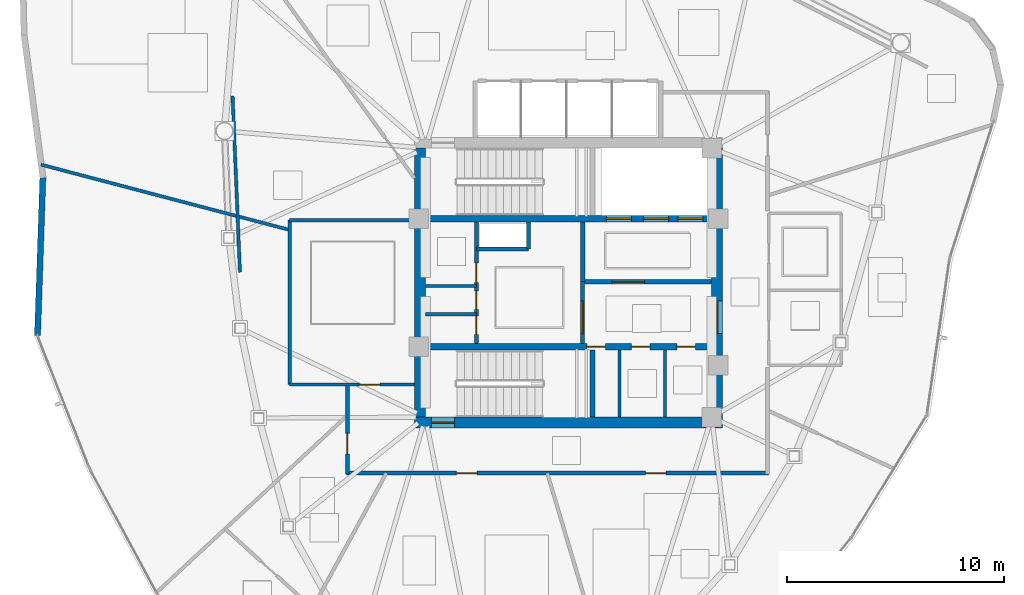
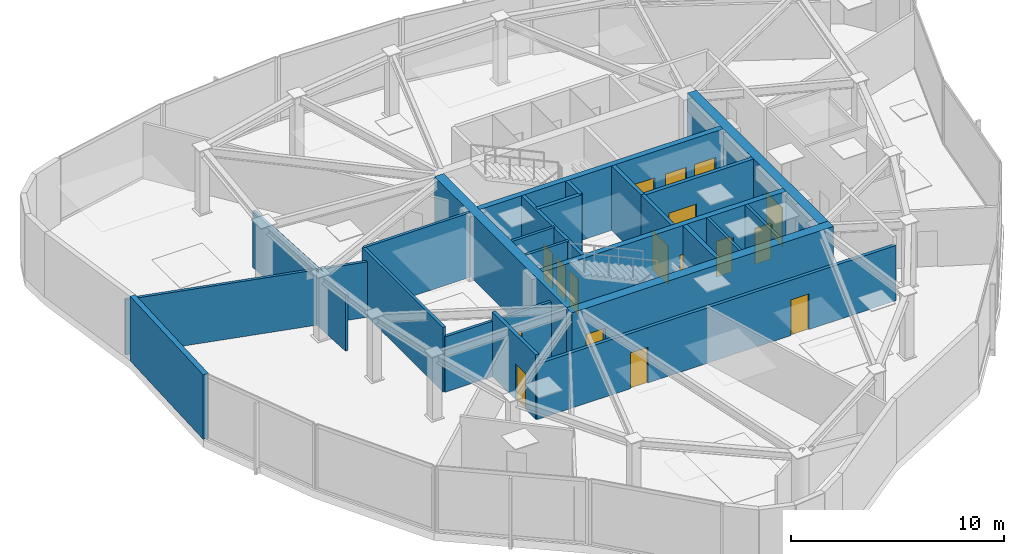
# One storey, part 9 of 14: 24 walls, 17 doors, 17 openings.
"""IFC4 building model written with IfcOpenShell, lengths in metres."""

from ifc_helpers import new_model, si_unit, direction, frame, frame_2d, origin, place, context, subcontext, project, spatial, rectangle, extrude, material, layer, layer_set, type_object, element, fill, save


model = new_model("IFC4")

# Units and contexts
model_context = context("Model", 3, precision=1e-05, world=origin(), true_north=direction((0.0, 1.0)))
body_context = subcontext(model_context, "Body", "Model", "MODEL_VIEW")
ifc_project = project(units=[si_unit("LENGTHUNIT", "METRE"), si_unit("AREAUNIT", "SQUARE_METRE"), si_unit("VOLUMEUNIT", "CUBIC_METRE"), si_unit("PLANEANGLEUNIT", "RADIAN"), si_unit("MASSUNIT", "GRAM", prefix="KILO")], contexts=[model_context])

# Site, building, storey
site_placement = place(None, origin())
site = spatial("IfcSite", under=ifc_project, at=site_placement, CompositionType="ELEMENT")
building_placement = place(site_placement, origin())
building = spatial("IfcBuilding", under=site, at=building_placement, Name="Tavelor Broadcast Tower", CompositionType="ELEMENT")
storey_placement = place(building_placement, frame((0.0, 0.0, 273.5)))
storey = spatial("IfcBuildingStorey", under=building, at=storey_placement, Name="L65", CompositionType="ELEMENT", Elevation=273.5)

# Wall, opening, door
ifc_material_1 = material(Name="Concrete C50/60", Category="concrete")
ifc_layer_1 = layer(ifc_material_1, 0.5)
ifc_layer_set_1 = layer_set([ifc_layer_1], Name="Concrete C50/60")
wall_type_1 = type_object("IfcWallType", Name="Core Shear Wall 500 mm", PredefinedType="SHEAR", material=ifc_layer_set_1)
wall_1_placement = place(storey_placement, frame((42.89990234375, 38.550048828125, 0.0), z_axis=(0.0, 0.0, 1.0), x_axis=(1.0, 0.0, 0.0)))
wall_1 = element("IfcWall", 1, at=wall_1_placement, inside=storey, type_object=wall_type_1, Name="L65 Central Core Shear Wall S", PredefinedType="SHEAR", context=body_context, shape_type="SweptSolid", body=[
    extrude(rectangle(XDim=14.2001953125, YDim=0.5, at=frame_2d((7.10009765625, 0.0))), origin(), (0.0, 0.0, 1.0), 3.699951171875),
])
opening_1_placement = place(wall_1_placement, frame((0.780029296875, 0.0, 0.0)))
opening_1 = element("IfcOpeningElement", 2, at=opening_1_placement, cuts=wall_1, Name="Opening DR11", PredefinedType="OPENING", context=body_context, shape_type="SweptSolid", body=[
    extrude(rectangle(XDim=1.050048828125, YDim=2.199951171875, at=frame_2d((0.52490234375, 1.10009765625))), frame((0.0, 0.260009765625, 0.0), z_axis=(0.0, -1.0, 0.0), x_axis=(1.0, 0.0, 0.0)), (0.0, 0.0, 1.0), 0.52001953125),
])
ifc_material_2 = material(Name="Steel S355", Category="steel")
door_type_1 = type_object("IfcDoorType", Name="Stair Core Fire Escape Door 1050x2200", OperationType="NOTDEFINED", PredefinedType="DOOR", material=ifc_material_2)
door_1_placement = place(opening_1_placement, origin())
door_1 = element("IfcDoor", 3, at=door_1_placement, inside=storey, type_object=door_type_1, Name="L65 Stair ST2 Protected Exit Door", OperationType="SINGLE_SWING_RIGHT", OverallHeight=2.199951171875, OverallWidth=1.050048828125, PredefinedType="DOOR", context=body_context, shape_type="SweptSolid", body=[
    extrude(rectangle(XDim=1.050048828125, YDim=2.199951171875, at=frame_2d((0.52490234375, 1.10009765625))), frame((0.0, 0.02490234375, 0.0), z_axis=(0.0, -1.0, 0.0), x_axis=(1.0, 0.0, 0.0)), (0.0, 0.0, 1.0), 0.050048828125),
])
fill(opening_1, door_1)

# Wall
wall_2_placement = place(storey_placement, frame((43.14990234375, 38.800048828125, 0.0), z_axis=(0.0, 0.0, 1.0), x_axis=(0.0, 1.0, 0.0)))
element("IfcWall", 4, at=wall_2_placement, inside=storey, type_object=wall_type_1, Name="L65 Central Core Shear Wall W", PredefinedType="SHEAR", context=body_context, shape_type="SweptSolid", body=[
    extrude(rectangle(XDim=12.39990234375, YDim=0.5, at=frame_2d((6.199951171875, 0.0))), origin(), (0.0, 0.0, 1.0), 3.699951171875),
])

# Wall, opening, door
wall_3_placement = place(storey_placement, frame((56.85009765625, 38.800048828125, 0.0), z_axis=(0.0, 0.0, 1.0), x_axis=(0.0, 1.0, 0.0)))
wall_3 = element("IfcWall", 5, at=wall_3_placement, inside=storey, type_object=wall_type_1, Name="L65 Central Core Shear Wall E", PredefinedType="SHEAR", context=body_context, shape_type="SweptSolid", body=[
    extrude(rectangle(XDim=12.39990234375, YDim=0.5, at=frame_2d((6.199951171875, 0.0))), origin(), (0.0, 0.0, 1.0), 3.699951171875),
])
opening_2_placement = place(wall_3_placement, frame((3.85009765625, 0.0, 0.0)))
opening_2 = element("IfcOpeningElement", 6, at=opening_2_placement, cuts=wall_3, Name="Opening DR14", PredefinedType="OPENING", context=body_context, shape_type="SweptSolid", body=[
    extrude(rectangle(XDim=1.5, YDim=2.199951171875, at=frame_2d((0.75, 1.10009765625))), frame((0.0, 0.260009765625, 0.0), z_axis=(0.0, -1.0, 0.0), x_axis=(1.0, 0.0, 0.0)), (0.0, 0.0, 1.0), 0.52001953125),
])
door_type_2 = type_object("IfcDoorType", Name="Firefighting Lobby Double Fire Door 1500x2200", OperationType="NOTDEFINED", PredefinedType="DOOR", material=ifc_material_2)
door_2_placement = place(opening_2_placement, origin())
door_2 = element("IfcDoor", 7, at=door_2_placement, inside=storey, type_object=door_type_2, Name="L65 Central Core Lobby Fire Door", OperationType="SINGLE_SWING_LEFT", OverallHeight=2.199951171875, OverallWidth=1.5, PredefinedType="DOOR", context=body_context, shape_type="SweptSolid", body=[
    extrude(rectangle(XDim=1.5, YDim=2.199951171875, at=frame_2d((0.75, 1.10009765625))), frame((0.0, 0.02490234375, 0.0), z_axis=(0.0, -1.0, 0.0), x_axis=(1.0, 0.0, 0.0)), (0.0, 0.0, 1.0), 0.050048828125),
])
fill(opening_2, door_2)

# Wall, openings, doors
ifc_layer_2 = layer(ifc_material_1, 0.300048828125)
ifc_layer_set_2 = layer_set([ifc_layer_2], Name="Concrete C50/60")
wall_type_2 = type_object("IfcWallType", Name="Core Spine Shear Wall 300 mm C50", PredefinedType="SHEAR", material=ifc_layer_set_2)
wall_4_placement = place(storey_placement, frame((43.39990234375, 47.949951171875, 0.0), z_axis=(0.0, 0.0, 1.0), x_axis=(1.0, 0.0, 0.0)))
wall_4 = element("IfcWall", 8, at=wall_4_placement, inside=storey, type_object=wall_type_2, Name="L65 Central Core Shear Wall SP1", PredefinedType="SHEAR", context=body_context, shape_type="SweptSolid", body=[
    extrude(rectangle(XDim=13.2001953125, YDim=0.300048828125, at=frame_2d((6.60009765625, 0.0))), origin(), (0.0, 0.0, 1.0), 3.699951171875),
])
opening_3_placement = place(wall_4_placement, frame((8.344970703125, 0.0, 0.0)))
opening_3 = element("IfcOpeningElement", 9, at=opening_3_placement, cuts=wall_4, Name="Opening LD02", PredefinedType="OPENING", context=body_context, shape_type="SweptSolid", body=[
    extrude(rectangle(XDim=1.14990234375, YDim=2.199951171875, at=frame_2d((0.574951171875, 1.10009765625))), frame((0.0, 0.16015625, 0.0), z_axis=(0.0, -1.0, 0.0), x_axis=(1.0, 0.0, 0.0)), (0.0, 0.0, 1.0), 0.320068359375),
])
opening_4_placement = place(wall_4_placement, frame((10.06494140625, 0.0, 0.0)))
opening_4 = element("IfcOpeningElement", 10, at=opening_4_placement, cuts=wall_4, Name="Opening LD02", PredefinedType="OPENING", context=body_context, shape_type="SweptSolid", body=[
    extrude(rectangle(XDim=1.14990234375, YDim=2.199951171875, at=frame_2d((0.574951171875, 1.10009765625))), frame((0.0, 0.16015625, 0.0), z_axis=(0.0, -1.0, 0.0), x_axis=(1.0, 0.0, 0.0)), (0.0, 0.0, 1.0), 0.320068359375),
])
opening_5_placement = place(wall_4_placement, frame((11.64501953125, 0.0, 0.0)))
opening_5 = element("IfcOpeningElement", 11, at=opening_5_placement, cuts=wall_4, Name="Opening LD03", PredefinedType="OPENING", context=body_context, shape_type="SweptSolid", body=[
    extrude(rectangle(XDim=1.14990234375, YDim=2.199951171875, at=frame_2d((0.574951171875, 1.10009765625))), frame((0.0, 0.16015625, 0.0), z_axis=(0.0, -1.0, 0.0), x_axis=(1.0, 0.0, 0.0)), (0.0, 0.0, 1.0), 0.320068359375),
])
ifc_material_3 = material(Name="Reinforced Brushed Stainless Steel", Category="concrete")
door_type_3 = type_object("IfcDoorType", Name="Broadcast Goods Lift Sliding Landing Door 1250x2200", OperationType="NOTDEFINED", PredefinedType="DOOR", material=ifc_material_3)
door_3_placement = place(opening_5_placement, origin())
door_3 = element("IfcDoor", 12, at=door_3_placement, inside=storey, type_object=door_type_3, Name="L65 Lift SVL1 Sliding Landing Door", OperationType="SLIDING_TO_LEFT", OverallHeight=2.199951171875, OverallWidth=1.14990234375, PredefinedType="DOOR", context=body_context, shape_type="SweptSolid", body=[
    extrude(rectangle(XDim=1.14990234375, YDim=2.199951171875, at=frame_2d((0.574951171875, 1.10009765625))), frame((0.0, 0.02490234375, 0.0), z_axis=(0.0, -1.0, 0.0), x_axis=(1.0, 0.0, 0.0)), (0.0, 0.0, 1.0), 0.050048828125),
])
fill(opening_5, door_3)
ifc_material_4 = material(Name="Fire-Rated Stainless Steel", Category="steel")
door_type_4 = type_object("IfcDoorType", Name="Firefighting Lift Sliding Landing Door 1200x2200", OperationType="NOTDEFINED", PredefinedType="DOOR", material=ifc_material_4)
door_4_placement = place(opening_3_placement, origin())
door_4 = element("IfcDoor", 13, at=door_4_placement, inside=storey, type_object=door_type_4, Name="L65 Lift FFL1 Sliding Landing Door", OperationType="SLIDING_TO_LEFT", OverallHeight=2.199951171875, OverallWidth=1.14990234375, PredefinedType="DOOR", context=body_context, shape_type="SweptSolid", body=[
    extrude(rectangle(XDim=1.14990234375, YDim=2.199951171875, at=frame_2d((0.574951171875, 1.10009765625))), frame((0.0, 0.02490234375, 0.0), z_axis=(0.0, -1.0, 0.0), x_axis=(1.0, 0.0, 0.0)), (0.0, 0.0, 1.0), 0.050048828125),
])
fill(opening_3, door_4)
door_5_placement = place(opening_4_placement, origin())
door_5 = element("IfcDoor", 14, at=door_5_placement, inside=storey, type_object=door_type_4, Name="L65 Lift FFL2 Sliding Landing Door", OperationType="SLIDING_TO_LEFT", OverallHeight=2.199951171875, OverallWidth=1.14990234375, PredefinedType="DOOR", context=body_context, shape_type="SweptSolid", body=[
    extrude(rectangle(XDim=1.14990234375, YDim=2.199951171875, at=frame_2d((0.574951171875, 1.10009765625))), frame((0.0, 0.02490234375, 0.0), z_axis=(0.0, -1.0, 0.0), x_axis=(1.0, 0.0, 0.0)), (0.0, 0.0, 1.0), 0.050048828125),
])
fill(opening_4, door_5)

wall_5_placement = place(storey_placement, frame((43.39990234375, 42.050048828125, 0.0), z_axis=(0.0, 0.0, 1.0), x_axis=(1.0, 0.0, 0.0)))
wall_5 = element("IfcWall", 15, at=wall_5_placement, inside=storey, type_object=wall_type_2, Name="L65 Central Core Shear Wall SP2", PredefinedType="SHEAR", context=body_context, shape_type="SweptSolid", body=[
    extrude(rectangle(XDim=13.2001953125, YDim=0.300048828125, at=frame_2d((6.60009765625, 0.0))), origin(), (0.0, 0.0, 1.0), 3.699951171875),
])
opening_6_placement = place(wall_5_placement, frame((7.449951171875, 0.0, 0.0)))
opening_6 = element("IfcOpeningElement", 16, at=opening_6_placement, cuts=wall_5, Name="Opening DR36", PredefinedType="OPENING", context=body_context, shape_type="SweptSolid", body=[
    extrude(rectangle(XDim=0.85009765625, YDim=2.050048828125, at=frame_2d((0.425048828125, 1.02490234375))), frame((0.0, 0.16015625, 0.0), z_axis=(0.0, -1.0, 0.0), x_axis=(1.0, 0.0, 0.0)), (0.0, 0.0, 1.0), 0.320068359375),
])
opening_7_placement = place(wall_5_placement, frame((9.5, 0.0, 0.0)))
opening_7 = element("IfcOpeningElement", 17, at=opening_7_placement, cuts=wall_5, Name="Opening DR36", PredefinedType="OPENING", context=body_context, shape_type="SweptSolid", body=[
    extrude(rectangle(XDim=0.85009765625, YDim=2.050048828125, at=frame_2d((0.425048828125, 1.02490234375))), frame((0.0, 0.16015625, 0.0), z_axis=(0.0, -1.0, 0.0), x_axis=(1.0, 0.0, 0.0)), (0.0, 0.0, 1.0), 0.320068359375),
])
opening_8_placement = place(wall_5_placement, frame((11.60009765625, 0.0, 0.0)))
opening_8 = element("IfcOpeningElement", 18, at=opening_8_placement, cuts=wall_5, Name="Opening DR36", PredefinedType="OPENING", context=body_context, shape_type="SweptSolid", body=[
    extrude(rectangle(XDim=0.85009765625, YDim=2.050048828125, at=frame_2d((0.425048828125, 1.02490234375))), frame((0.0, 0.16015625, 0.0), z_axis=(0.0, -1.0, 0.0), x_axis=(1.0, 0.0, 0.0)), (0.0, 0.0, 1.0), 0.320068359375),
])
door_type_5 = type_object("IfcDoorType", Name="Service Room Fire Door 850x2050", OperationType="NOTDEFINED", PredefinedType="DOOR", material=ifc_material_2)
door_6_placement = place(opening_6_placement, origin())
door_6 = element("IfcDoor", 19, at=door_6_placement, inside=storey, type_object=door_type_5, Name="L65 Reclaimed South Core Pod 1 Door", OperationType="SINGLE_SWING_RIGHT", OverallHeight=2.050048828125, OverallWidth=0.85009765625, PredefinedType="DOOR", context=body_context, shape_type="SweptSolid", body=[
    extrude(rectangle(XDim=0.85009765625, YDim=2.050048828125, at=frame_2d((0.425048828125, 1.02490234375))), frame((0.0, 0.02490234375, 0.0), z_axis=(0.0, -1.0, 0.0), x_axis=(1.0, 0.0, 0.0)), (0.0, 0.0, 1.0), 0.050048828125),
])
fill(opening_6, door_6)
door_7_placement = place(opening_7_placement, origin())
door_7 = element("IfcDoor", 20, at=door_7_placement, inside=storey, type_object=door_type_5, Name="L65 Reclaimed South Core Pod 2 Door", OperationType="SINGLE_SWING_LEFT", OverallHeight=2.050048828125, OverallWidth=0.85009765625, PredefinedType="DOOR", context=body_context, shape_type="SweptSolid", body=[
    extrude(rectangle(XDim=0.85009765625, YDim=2.050048828125, at=frame_2d((0.425048828125, 1.02490234375))), frame((0.0, 0.02490234375, 0.0), z_axis=(0.0, -1.0, 0.0), x_axis=(1.0, 0.0, 0.0)), (0.0, 0.0, 1.0), 0.050048828125),
])
fill(opening_7, door_7)
door_8_placement = place(opening_8_placement, origin())
door_8 = element("IfcDoor", 21, at=door_8_placement, inside=storey, type_object=door_type_5, Name="L65 Reclaimed South Core Pod 3 Door", OperationType="SINGLE_SWING_RIGHT", OverallHeight=2.050048828125, OverallWidth=0.85009765625, PredefinedType="DOOR", context=body_context, shape_type="SweptSolid", body=[
    extrude(rectangle(XDim=0.85009765625, YDim=2.050048828125, at=frame_2d((0.425048828125, 1.02490234375))), frame((0.0, 0.02490234375, 0.0), z_axis=(0.0, -1.0, 0.0), x_axis=(1.0, 0.0, 0.0)), (0.0, 0.0, 1.0), 0.050048828125),
])
fill(opening_8, door_8)

# Wall, opening, door
ifc_material_5 = material(Name="Calcium Silicate Fire Board 180 mm", Category="gypsum")
ifc_layer_3 = layer(ifc_material_5, 0.179931640625)
ifc_layer_set_3 = layer_set([ifc_layer_3], Name="Calcium Silicate Fire Board 180 mm")
wall_type_3 = type_object("IfcWallType", Name="Fire-Rated Corridor Partition Wall 180 mm", PredefinedType="PARTITIONING", material=ifc_layer_set_3)
wall_6_placement = place(storey_placement, frame((50.64990234375, 42.199951171875, 0.0), z_axis=(0.0, 0.0, 1.0), x_axis=(0.0, 1.0, 0.0)))
wall_6 = element("IfcWall", 22, at=wall_6_placement, inside=storey, type_object=wall_type_3, Name="L65 Core Lobby Zoning Wall", PredefinedType="PARTITIONING", context=body_context, shape_type="SweptSolid", body=[
    extrude(rectangle(XDim=2.85009765625, YDim=0.179931640625, at=frame_2d((1.425048828125, 0.0))), origin(), (0.0, 0.0, 1.0), 3.699951171875),
])
opening_9_placement = place(wall_6_placement, frame((0.449951171875, 0.0, 0.0)))
opening_9 = element("IfcOpeningElement", 23, at=opening_9_placement, cuts=wall_6, Name="Opening DR14", PredefinedType="OPENING", context=body_context, shape_type="SweptSolid", body=[
    extrude(rectangle(XDim=1.5, YDim=2.199951171875, at=frame_2d((0.75, 1.10009765625))), frame((0.0, 0.10009765625, 0.0), z_axis=(0.0, -1.0, 0.0), x_axis=(1.0, 0.0, 0.0)), (0.0, 0.0, 1.0), 0.199951171875),
])
door_9_placement = place(opening_9_placement, origin())
door_9 = element("IfcDoor", 24, at=door_9_placement, inside=storey, type_object=door_type_2, Name="L65 Core West Lobby Double Fire Door", OperationType="SINGLE_SWING_LEFT", OverallHeight=2.199951171875, OverallWidth=1.5, PredefinedType="DOOR", context=body_context, shape_type="SweptSolid", body=[
    extrude(rectangle(XDim=1.5, YDim=2.199951171875, at=frame_2d((0.75, 1.10009765625))), frame((0.0, 0.02490234375, 0.0), z_axis=(0.0, -1.0, 0.0), x_axis=(1.0, 0.0, 0.0)), (0.0, 0.0, 1.0), 0.050048828125),
])
fill(opening_9, door_9)

# Wall, openings, doors
wall_7_placement = place(storey_placement, frame((45.75, 42.199951171875, 0.0), z_axis=(0.0, 0.0, 1.0), x_axis=(0.0, 1.0, 0.0)))
wall_7 = element("IfcWall", 25, at=wall_7_placement, inside=storey, type_object=wall_type_3, Name="L65 Core West Service East Wall", PredefinedType="PARTITIONING", context=body_context, shape_type="SweptSolid", body=[
    extrude(rectangle(XDim=5.60009765625, YDim=0.179931640625, at=frame_2d((2.800048828125, 0.0))), origin(), (0.0, 0.0, 1.0), 3.699951171875),
])
opening_10_placement = place(wall_7_placement, frame((0.419921875, 0.0, 0.0)))
opening_10 = element("IfcOpeningElement", 26, at=opening_10_placement, cuts=wall_7, Name="Opening DR36", PredefinedType="OPENING", context=body_context, shape_type="SweptSolid", body=[
    extrude(rectangle(XDim=0.85009765625, YDim=2.050048828125, at=frame_2d((0.425048828125, 1.02490234375))), frame((0.0, 0.10009765625, 0.0), z_axis=(0.0, -1.0, 0.0), x_axis=(1.0, 0.0, 0.0)), (0.0, 0.0, 1.0), 0.199951171875),
])
opening_11_placement = place(wall_7_placement, frame((1.570068359375, 0.0, 0.0)))
opening_11 = element("IfcOpeningElement", 27, at=opening_11_placement, cuts=wall_7, Name="Opening DR36", PredefinedType="OPENING", context=body_context, shape_type="SweptSolid", body=[
    extrude(rectangle(XDim=0.85009765625, YDim=2.050048828125, at=frame_2d((0.425048828125, 1.02490234375))), frame((0.0, 0.10009765625, 0.0), z_axis=(0.0, -1.0, 0.0), x_axis=(1.0, 0.0, 0.0)), (0.0, 0.0, 1.0), 0.199951171875),
])
opening_12_placement = place(wall_7_placement, frame((2.800048828125, 0.0, 0.0)))
opening_12 = element("IfcOpeningElement", 28, at=opening_12_placement, cuts=wall_7, Name="Opening DR32", PredefinedType="OPENING", context=body_context, shape_type="SweptSolid", body=[
    extrude(rectangle(XDim=0.89990234375, YDim=2.050048828125, at=frame_2d((0.449951171875, 1.02490234375))), frame((0.0, 0.10009765625, 0.0), z_axis=(0.0, -1.0, 0.0), x_axis=(1.0, 0.0, 0.0)), (0.0, 0.0, 1.0), 0.199951171875),
])
ifc_material_6 = material(Name="Timber Solid Core Hardwood", Category="wood")
door_type_6 = type_object("IfcDoorType", Name="Accessible Washroom Door 900x2050", OperationType="NOTDEFINED", PredefinedType="DOOR", material=ifc_material_6)
door_10_placement = place(opening_12_placement, origin())
door_10 = element("IfcDoor", 29, at=door_10_placement, inside=storey, type_object=door_type_6, Name="L65 Core Accessible WC Door", OperationType="SINGLE_SWING_LEFT", OverallHeight=2.050048828125, OverallWidth=0.89990234375, PredefinedType="DOOR", context=body_context, shape_type="SweptSolid", body=[
    extrude(rectangle(XDim=0.89990234375, YDim=2.050048828125, at=frame_2d((0.449951171875, 1.02490234375))), frame((0.0, 0.02490234375, 0.0), z_axis=(0.0, -1.0, 0.0), x_axis=(1.0, 0.0, 0.0)), (0.0, 0.0, 1.0), 0.050048828125),
])
fill(opening_12, door_10)
door_11_placement = place(opening_10_placement, origin())
door_11 = element("IfcDoor", 30, at=door_11_placement, inside=storey, type_object=door_type_5, Name="L65 Core Medical Room Door", OperationType="SINGLE_SWING_LEFT", OverallHeight=2.050048828125, OverallWidth=0.85009765625, PredefinedType="DOOR", context=body_context, shape_type="SweptSolid", body=[
    extrude(rectangle(XDim=0.85009765625, YDim=2.050048828125, at=frame_2d((0.425048828125, 1.02490234375))), frame((0.0, 0.02490234375, 0.0), z_axis=(0.0, -1.0, 0.0), x_axis=(1.0, 0.0, 0.0)), (0.0, 0.0, 1.0), 0.050048828125),
])
fill(opening_10, door_11)
door_12_placement = place(opening_11_placement, origin())
door_12 = element("IfcDoor", 31, at=door_12_placement, inside=storey, type_object=door_type_5, Name="L65 Core Copy Room Door", OperationType="SINGLE_SWING_RIGHT", OverallHeight=2.050048828125, OverallWidth=0.85009765625, PredefinedType="DOOR", context=body_context, shape_type="SweptSolid", body=[
    extrude(rectangle(XDim=0.85009765625, YDim=2.050048828125, at=frame_2d((0.425048828125, 1.02490234375))), frame((0.0, 0.02490234375, 0.0), z_axis=(0.0, -1.0, 0.0), x_axis=(1.0, 0.0, 0.0)), (0.0, 0.0, 1.0), 0.050048828125),
])
fill(opening_11, door_12)

wall_8_placement = place(storey_placement, frame((59.22998046875, 36.219970703125, 0.0), z_axis=(0.0, 0.0, 1.0), x_axis=(-1.0, 0.0, 0.0)))
wall_8 = element("IfcWall", 32, at=wall_8_placement, inside=storey, type_object=wall_type_3, Name="L65 Corridor Compartment Wall 04", PredefinedType="PARTITIONING", context=body_context, shape_type="SweptSolid", body=[
    extrude(rectangle(XDim=19.47998046875, YDim=0.179931640625, at=frame_2d((9.739990234375, 0.0))), origin(), (0.0, 0.0, 1.0), 3.175048828125),
])
opening_13_placement = place(wall_8_placement, frame((4.73095703125, 0.0, 0.0)))
opening_13 = element("IfcOpeningElement", 33, at=opening_13_placement, cuts=wall_8, Name="Opening DR18", PredefinedType="OPENING", context=body_context, shape_type="SweptSolid", body=[
    extrude(rectangle(XDim=0.949951171875, YDim=2.050048828125, at=frame_2d((0.47509765625, 1.02490234375))), frame((0.0, 0.10009765625, 0.0), z_axis=(0.0, -1.0, 0.0), x_axis=(1.0, 0.0, 0.0)), (0.0, 0.0, 1.0), 0.199951171875),
])
opening_14_placement = place(wall_8_placement, frame((13.45751953125, 0.0, 0.0)))
opening_14 = element("IfcOpeningElement", 34, at=opening_14_placement, cuts=wall_8, Name="Opening DR18", PredefinedType="OPENING", context=body_context, shape_type="SweptSolid", body=[
    extrude(rectangle(XDim=0.949951171875, YDim=2.050048828125, at=frame_2d((0.47509765625, 1.02490234375))), frame((0.0, 0.10009765625, 0.0), z_axis=(0.0, -1.0, 0.0), x_axis=(1.0, 0.0, 0.0)), (0.0, 0.0, 1.0), 0.199951171875),
])
door_type_7 = type_object("IfcDoorType", Name="Corridor Rated Compartment Door 950x2050", OperationType="NOTDEFINED", PredefinedType="DOOR", material=ifc_material_6)
door_13_placement = place(opening_13_placement, origin())
door_13 = element("IfcDoor", 35, at=door_13_placement, inside=storey, type_object=door_type_7, Name="L65 Media Content Workshop Door R1", OperationType="SINGLE_SWING_LEFT", OverallHeight=2.050048828125, OverallWidth=0.949951171875, PredefinedType="DOOR", context=body_context, shape_type="SweptSolid", body=[
    extrude(rectangle(XDim=0.949951171875, YDim=2.050048828125, at=frame_2d((0.47509765625, 1.02490234375))), frame((0.0, 0.02490234375, 0.0), z_axis=(0.0, -1.0, 0.0), x_axis=(1.0, 0.0, 0.0)), (0.0, 0.0, 1.0), 0.050048828125),
])
fill(opening_13, door_13)
door_14_placement = place(opening_14_placement, origin())
door_14 = element("IfcDoor", 36, at=door_14_placement, inside=storey, type_object=door_type_7, Name="L65 Music Mixing Workshop Door R2", OperationType="SINGLE_SWING_RIGHT", OverallHeight=2.050048828125, OverallWidth=0.949951171875, PredefinedType="DOOR", context=body_context, shape_type="SweptSolid", body=[
    extrude(rectangle(XDim=0.949951171875, YDim=2.050048828125, at=frame_2d((0.47509765625, 1.02490234375))), frame((0.0, 0.02490234375, 0.0), z_axis=(0.0, -1.0, 0.0), x_axis=(1.0, 0.0, 0.0)), (0.0, 0.0, 1.0), 0.050048828125),
])
fill(opening_14, door_14)

# Wall, opening, door
wall_9_placement = place(storey_placement, frame((39.800048828125, 36.169921875, 0.0), z_axis=(0.0, 0.0, 1.0), x_axis=(0.0, 1.0, 0.0)))
wall_9 = element("IfcWall", 37, at=wall_9_placement, inside=storey, type_object=wall_type_3, Name="L65 Corridor Compartment Wall 05", PredefinedType="PARTITIONING", context=body_context, shape_type="SweptSolid", body=[
    extrude(rectangle(XDim=4.080078125, YDim=0.179931640625, at=frame_2d((2.0400390625, 0.0))), origin(), (0.0, 0.0, 1.0), 3.699951171875),
])
opening_15_placement = place(wall_9_placement, frame((0.930908203125, 0.0, 0.0)))
opening_15 = element("IfcOpeningElement", 38, at=opening_15_placement, cuts=wall_9, Name="Opening DR18", PredefinedType="OPENING", context=body_context, shape_type="SweptSolid", body=[
    extrude(rectangle(XDim=0.949951171875, YDim=2.050048828125, at=frame_2d((0.47509765625, 1.02490234375))), frame((0.0, 0.10009765625, 0.0), z_axis=(0.0, -1.0, 0.0), x_axis=(1.0, 0.0, 0.0)), (0.0, 0.0, 1.0), 0.199951171875),
])
door_15_placement = place(opening_15_placement, origin())
door_15 = element("IfcDoor", 39, at=door_15_placement, inside=storey, type_object=door_type_7, Name="L65 Catering Server Pantry Door R7", OperationType="SINGLE_SWING_LEFT", OverallHeight=2.050048828125, OverallWidth=0.949951171875, PredefinedType="DOOR", context=body_context, shape_type="SweptSolid", body=[
    extrude(rectangle(XDim=0.949951171875, YDim=2.050048828125, at=frame_2d((0.47509765625, 1.02490234375))), frame((0.0, 0.02490234375, 0.0), z_axis=(0.0, -1.0, 0.0), x_axis=(1.0, 0.0, 0.0)), (0.0, 0.0, 1.0), 0.050048828125),
])
fill(opening_15, door_15)

# Walls
ifc_material_7 = material(Name="Precast Concrete C40/50", Category="concrete")
ifc_layer_4 = layer(ifc_material_7, 0.280029296875)
ifc_layer_set_4 = layer_set([ifc_layer_4], Name="Precast Concrete C40/50")
wall_type_4 = type_object("IfcWallType", Name="Insulated Precast Terracotta Facade Wall 280 mm", PredefinedType="STANDARD", material=ifc_layer_set_4)
wall_10_placement = place(storey_placement, frame((25.759521484375, 49.866455078125, 0.0), z_axis=(0.0, 0.0, 1.0), x_axis=(-0.03378840639, -0.999429008781, 0.0)))
element("IfcWall", 40, at=wall_10_placement, inside=storey, type_object=wall_type_4, Name="L65 Rounded Corner Structural Cladding Pier 06", PredefinedType="STANDARD", context=body_context, shape_type="SweptSolid", body=[
    extrude(rectangle(XDim=7.312255859375, YDim=0.280029296875, at=frame_2d((3.65625, 0.0))), origin(), (0.0, 0.0, 1.0), 3.699951171875),
])
ifc_material_8 = material(Name="Gypsum Acoustic Plasterboard 150 mm", Category="gypsum")
ifc_layer_5 = layer(ifc_material_8, 0.14990234375)
ifc_layer_set_5 = layer_set([ifc_layer_5], Name="Gypsum Acoustic Plasterboard 150 mm")
wall_type_5 = type_object("IfcWallType", Name="Interior Acoustic Partition Wall 150 mm", PredefinedType="PARTITIONING", material=ifc_layer_set_5)
for number, where, z_axis, x_axis, name in (
    (41, (52.35009765625, 38.800048828125, 0.0), (0.0, 0.0, 1.0), (0.0, 1.0, 0.0), "L65 Reclaimed South Core Divider 1"),
    (42, (54.449951171875, 38.800048828125, 0.0), (0.0, 0.0, 1.0), (0.0, 1.0, 0.0), "L65 Reclaimed South Core Divider 2"),
):
    element("IfcWall", number, at=place(storey_placement, frame(where, z_axis=z_axis, x_axis=x_axis)), inside=storey, type_object=wall_type_5, Name=name, PredefinedType="PARTITIONING", context=body_context, shape_type="SweptSolid", body=[
        extrude(rectangle(XDim=3.099853515625, YDim=0.14990234375, at=frame_2d((1.5498046875, 0.0))), origin(), (0.0, 0.0, 1.0), 3.699951171875),
    ])
for number, where, z_axis, x_axis, name in (
    (43, (43.39990234375, 43.550048828125, 0.0), (0.0, 0.0, 1.0), (1.0, 0.0, 0.0), "L65 Core Split Wall B1"),
    (44, (43.39990234375, 44.85009765625, 0.0), (0.0, 0.0, 1.0), (1.0, 0.0, 0.0), "L65 Core Split Wall B2"),
):
    element("IfcWall", number, at=place(storey_placement, frame(where, z_axis=z_axis, x_axis=x_axis)), inside=storey, type_object=wall_type_5, Name=name, PredefinedType="PARTITIONING", context=body_context, shape_type="SweptSolid", body=[
        extrude(rectangle(XDim=2.35009765625, YDim=0.14990234375, at=frame_2d((1.175048828125, 0.0))), origin(), (0.0, 0.0, 1.0), 3.699951171875),
    ])
wall_11_placement = place(storey_placement, frame((34.50732421875, 53.61279296875, 0.0), z_axis=(0.0, 0.0, 1.0), x_axis=(0.041875090182, -0.999122853718, 0.0)))
element("IfcWall", 45, at=wall_11_placement, inside=storey, type_object=wall_type_5, Name="L65 Corner Tube Brace Furring Wall 1", PredefinedType="PARTITIONING", context=body_context, shape_type="SweptSolid", body=[
    extrude(rectangle(XDim=8.138916015625, YDim=0.14990234375, at=frame_2d((4.0693359375, 0.0))), origin(), (0.0, 0.0, 1.0), 3.235107421875),
])

# Wall, opening, door
wall_12_placement = place(storey_placement, frame((37.139892578125, 40.300048828125, 0.0), z_axis=(0.0, 0.0, 1.0), x_axis=(1.0, 0.0, 0.0)))
wall_12 = element("IfcWall", 46, at=wall_12_placement, inside=storey, type_object=wall_type_5, Name="L65 Reclaimed Shaft Pantry South Wall", PredefinedType="PARTITIONING", context=body_context, shape_type="SweptSolid", body=[
    extrude(rectangle(XDim=5.760009765625, YDim=0.14990234375, at=frame_2d((2.8798828125, 0.0))), origin(), (0.0, 0.0, 1.0), 3.175048828125),
])
opening_16_placement = place(wall_12_placement, frame((3.2099609375, 0.0, 0.0)))
opening_16 = element("IfcOpeningElement", 47, at=opening_16_placement, cuts=wall_12, Name="Opening DR18", PredefinedType="OPENING", context=body_context, shape_type="SweptSolid", body=[
    extrude(rectangle(XDim=0.949951171875, YDim=2.050048828125, at=frame_2d((0.47509765625, 1.02490234375))), frame((0.0, 0.0849609375, 0.0), z_axis=(0.0, -1.0, 0.0), x_axis=(1.0, 0.0, 0.0)), (0.0, 0.0, 1.0), 0.169921875),
])
door_16_placement = place(opening_16_placement, origin())
door_16 = element("IfcDoor", 48, at=door_16_placement, inside=storey, type_object=door_type_7, Name="L65 Broadcast IT Patch and Pantry Door", OperationType="SINGLE_SWING_LEFT", OverallHeight=2.050048828125, OverallWidth=0.949951171875, PredefinedType="DOOR", context=body_context, shape_type="SweptSolid", body=[
    extrude(rectangle(XDim=0.949951171875, YDim=2.050048828125, at=frame_2d((0.47509765625, 1.02490234375))), frame((0.0, 0.02490234375, 0.0), z_axis=(0.0, -1.0, 0.0), x_axis=(1.0, 0.0, 0.0)), (0.0, 0.0, 1.0), 0.050048828125),
])
fill(opening_16, door_16)

# Walls
wall_13_placement = place(storey_placement, frame((37.139892578125, 40.300048828125, 0.0), z_axis=(0.0, 0.0, 1.0), x_axis=(0.0, 1.0, 0.0)))
element("IfcWall", 49, at=wall_13_placement, inside=storey, type_object=wall_type_5, Name="L65 Reclaimed Shaft Pantry West Wall", PredefinedType="PARTITIONING", context=body_context, shape_type="SweptSolid", body=[
    extrude(rectangle(XDim=7.579833984375, YDim=0.14990234375, at=frame_2d((3.7900390625, 0.0))), origin(), (0.0, 0.0, 1.0), 3.699951171875),
])
wall_14_placement = place(storey_placement, frame((37.139892578125, 47.8798828125, 0.0), z_axis=(0.0, 0.0, 1.0), x_axis=(1.0, 0.0, 0.0)))
element("IfcWall", 50, at=wall_14_placement, inside=storey, type_object=wall_type_5, Name="L65 Reclaimed Shaft Pantry North Wall", PredefinedType="PARTITIONING", context=body_context, shape_type="SweptSolid", body=[
    extrude(rectangle(XDim=5.760009765625, YDim=0.14990234375, at=frame_2d((2.8798828125, 0.0))), origin(), (0.0, 0.0, 1.0), 3.699951171875),
])
wall_15_placement = place(storey_placement, frame((37.080078125, 47.447998046875, 0.0), z_axis=(0.0, 0.0, 1.0), x_axis=(-0.967188641059, 0.254059309232, 0.0)))
element("IfcWall", 51, at=wall_15_placement, inside=storey, type_object=wall_type_5, Name="L65 Radial Compartment Wall 02", PredefinedType="PARTITIONING", context=body_context, shape_type="SweptSolid", body=[
    extrude(rectangle(XDim=11.796630859375, YDim=0.14990234375, at=frame_2d((5.8984375, 0.0))), origin(), (0.0, 0.0, 1.0), 3.175048828125),
])
ifc_material_9 = material(Name="Concrete Blockwork 200 mm", Category="masonry")
ifc_layer_6 = layer(ifc_material_9, 0.199951171875)
ifc_layer_set_6 = layer_set([ifc_layer_6], Name="Concrete Blockwork 200 mm")
wall_type_6 = type_object("IfcWallType", Name="Lift and Riser Shaft Enclosure Wall 200 mm", PredefinedType="PARTITIONING", material=ifc_layer_set_6)
wall_16_placement = place(storey_placement, frame((45.75, 46.550048828125, 0.0), z_axis=(0.0, 0.0, 1.0), x_axis=(1.0, 0.0, 0.0)))
element("IfcWall", 52, at=wall_16_placement, inside=storey, type_object=wall_type_6, Name="L65 Riser Shaft South Wall", PredefinedType="PARTITIONING", context=body_context, shape_type="SweptSolid", body=[
    extrude(rectangle(XDim=2.39990234375, YDim=0.199951171875, at=frame_2d((1.199951171875, 0.0))), origin(), (0.0, 0.0, 1.0), 3.699951171875),
])
wall_17_placement = place(storey_placement, frame((48.14990234375, 46.550048828125, 0.0), z_axis=(0.0, 0.0, 1.0), x_axis=(0.0, 1.0, 0.0)))
element("IfcWall", 53, at=wall_17_placement, inside=storey, type_object=wall_type_6, Name="L65 Riser Shaft East Wall", PredefinedType="PARTITIONING", context=body_context, shape_type="SweptSolid", body=[
    extrude(rectangle(XDim=1.25, YDim=0.199951171875, at=frame_2d((0.625, 0.0))), origin(), (0.0, 0.0, 1.0), 3.699951171875),
])

# Wall, opening, door
wall_18_placement = place(storey_placement, frame((50.64990234375, 45.050048828125, 0.0), z_axis=(0.0, 0.0, 1.0), x_axis=(1.0, 0.0, 0.0)))
wall_18 = element("IfcWall", 54, at=wall_18_placement, inside=storey, type_object=wall_type_6, Name="L65 Firefighting Lobby South Wall", PredefinedType="PARTITIONING", context=body_context, shape_type="SweptSolid", body=[
    extrude(rectangle(XDim=5.9501953125, YDim=0.199951171875, at=frame_2d((2.97509765625, 0.0))), origin(), (0.0, 0.0, 1.0), 3.699951171875),
])
opening_17_placement = place(wall_18_placement, frame((1.35009765625, 0.0, 0.0)))
opening_17 = element("IfcOpeningElement", 55, at=opening_17_placement, cuts=wall_18, Name="Opening DR14", PredefinedType="OPENING", context=body_context, shape_type="SweptSolid", body=[
    extrude(rectangle(XDim=1.5, YDim=2.199951171875, at=frame_2d((0.75, 1.10009765625))), frame((0.0, 0.10986328125, 0.0), z_axis=(0.0, -1.0, 0.0), x_axis=(1.0, 0.0, 0.0)), (0.0, 0.0, 1.0), 0.219970703125),
])
door_17_placement = place(opening_17_placement, origin())
door_17 = element("IfcDoor", 56, at=door_17_placement, inside=storey, type_object=door_type_2, Name="L65 Firefighting Lobby Compartment Door", OperationType="SINGLE_SWING_RIGHT", OverallHeight=2.199951171875, OverallWidth=1.5, PredefinedType="DOOR", context=body_context, shape_type="SweptSolid", body=[
    extrude(rectangle(XDim=1.5, YDim=2.199951171875, at=frame_2d((0.75, 1.10009765625))), frame((0.0, 0.02490234375, 0.0), z_axis=(0.0, -1.0, 0.0), x_axis=(1.0, 0.0, 0.0)), (0.0, 0.0, 1.0), 0.050048828125),
])
fill(opening_17, door_17)

# Walls
wall_19_placement = place(storey_placement, frame((50.64990234375, 45.050048828125, 0.0), z_axis=(0.0, 0.0, 1.0), x_axis=(0.0, 1.0, 0.0)))
element("IfcWall", 57, at=wall_19_placement, inside=storey, type_object=wall_type_6, Name="L65 Firefighting Lobby West Wall", PredefinedType="PARTITIONING", context=body_context, shape_type="SweptSolid", body=[
    extrude(rectangle(XDim=2.75, YDim=0.199951171875, at=frame_2d((1.375, 0.0))), origin(), (0.0, 0.0, 1.0), 3.699951171875),
])
ifc_material_10 = material(Name="Concrete C40/50", Category="concrete")
ifc_layer_7 = layer(ifc_material_10, 0.219970703125)
ifc_layer_set_7 = layer_set([ifc_layer_7], Name="Concrete C40/50")
wall_type_7 = type_object("IfcWallType", Name="Structural Stairwell Shear Wall 220 mm", PredefinedType="SHEAR", material=ifc_layer_set_7)
wall_20_placement = place(storey_placement, frame((51.110107421875, 38.800048828125, 0.0), z_axis=(0.0, 0.0, 1.0), x_axis=(0.0, 1.0, 0.0)))
element("IfcWall", 58, at=wall_20_placement, inside=storey, type_object=wall_type_7, Name="L65 Stair ST2 Structural Shaft Wall", PredefinedType="SHEAR", context=body_context, shape_type="SweptSolid", body=[
    extrude(rectangle(XDim=3.099853515625, YDim=0.219970703125, at=frame_2d((1.5498046875, 0.0))), origin(), (0.0, 0.0, 1.0), 3.699951171875),
])

save(model, "model.ifc")
